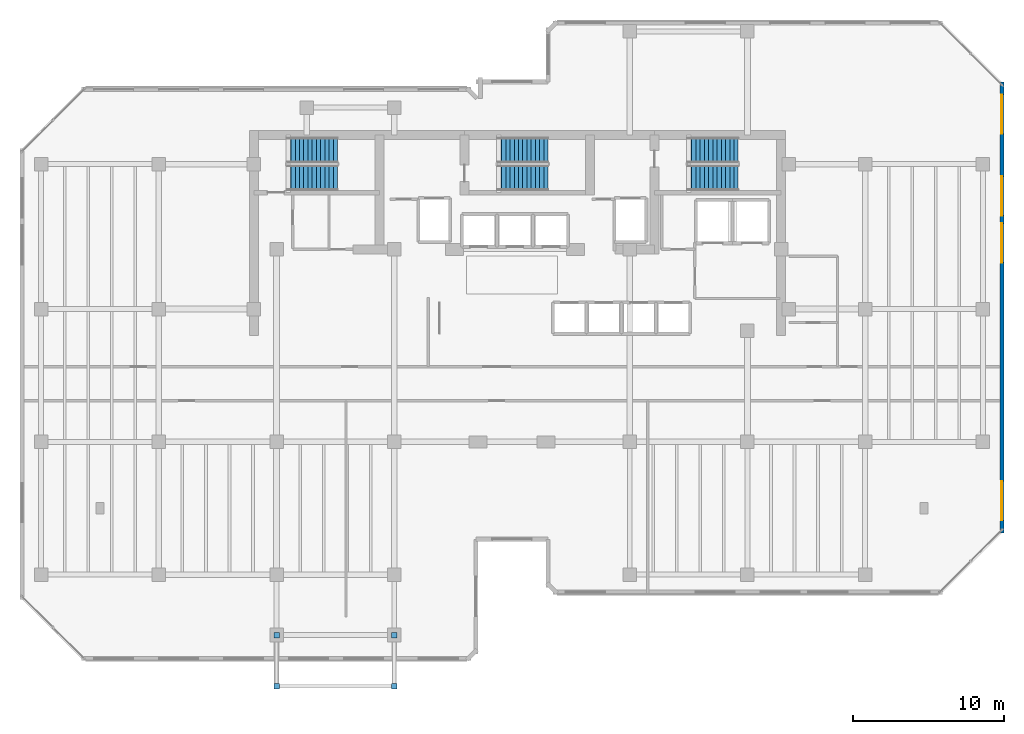
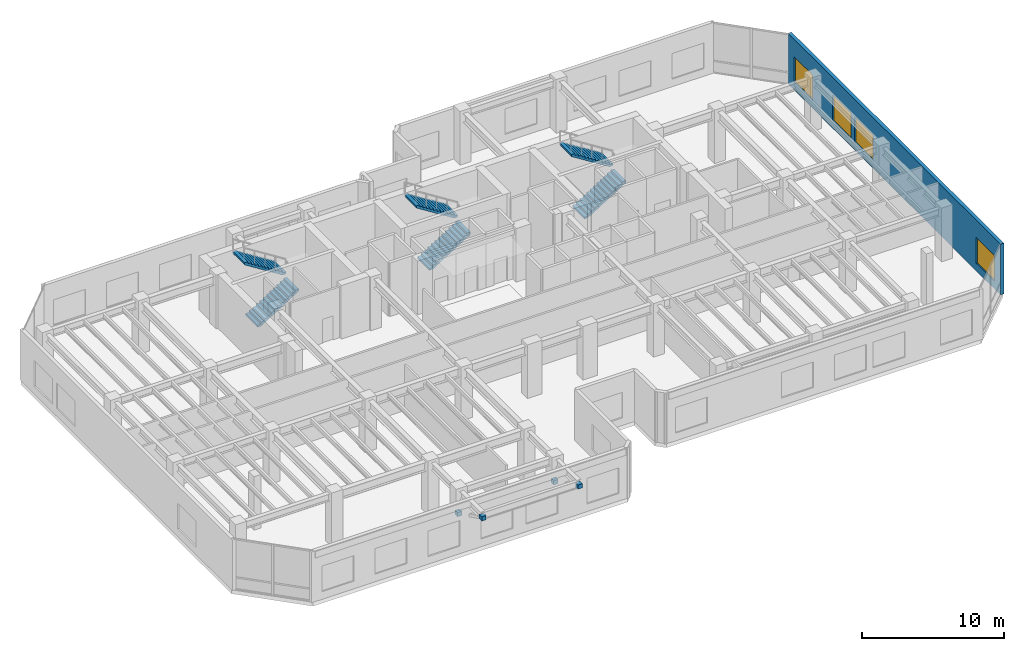
# One storey, part 17 of 20: 6 stair flights, 4 discrete accessories, 4 windows, 1 wall, 4 openings, 3 elements without a shape of their own.
"""IFC4 building model written with IfcOpenShell, lengths in metres."""

from ifc_helpers import new_model, si_unit, direction, frame, frame_2d, origin, origin_2d, place, context, subcontext, project, spatial, polyline, rectangle, outline, extrude, material, layer, layer_set, type_object, element, fill, aggregate, save


model = new_model("IFC4")

# Units and contexts
model_context = context("Model", 3, precision=1e-05, world=origin(), true_north=direction((0.0, 1.0)))
body_context = subcontext(model_context, "Body", "Model", "MODEL_VIEW")
ifc_project = project(units=[si_unit("LENGTHUNIT", "METRE"), si_unit("AREAUNIT", "SQUARE_METRE"), si_unit("VOLUMEUNIT", "CUBIC_METRE"), si_unit("PLANEANGLEUNIT", "RADIAN"), si_unit("MASSUNIT", "GRAM", prefix="KILO")], contexts=[model_context])

# Site, building, storey
site_placement = place(None, origin())
site = spatial("IfcSite", under=ifc_project, at=site_placement, CompositionType="ELEMENT")
building_placement = place(site_placement, origin())
building = spatial("IfcBuilding", under=site, at=building_placement, Name="Kestravale Grand Hotel", CompositionType="ELEMENT")
storey_placement = place(building_placement, frame((0.0, 0.0, 231.89990234375)))
storey = spatial("IfcBuildingStorey", under=building, at=storey_placement, Name="L58", CompositionType="ELEMENT", Elevation=231.89990234375)

# Wall, openings, windows
ifc_material_1 = material(Name="Precast concrete f'c 45 MPa", Category="concrete")
ifc_layer = layer(ifc_material_1, 0.280029296875)
ifc_layer_set = layer_set([ifc_layer], Name="EW-PREC-280")
wall_type = type_object("IfcWallType", Name="EW-PREC-280", PredefinedType="SOLIDWALL", material=ifc_layer_set)
wall_placement = place(storey_placement, frame((71.4599609375, 13.9599609375, 0.0), z_axis=(0.0, 0.0, 1.0), x_axis=(0.0, 1.0, 0.0)))
wall = element("IfcWall", 1, at=wall_placement, inside=storey, type_object=wall_type, Name="L58 fluted precast facade wall 9", PredefinedType="SOLIDWALL", context=body_context, shape_type="SweptSolid", body=[
    extrude(rectangle(XDim=29.880126953125, YDim=0.280029296875, at=frame_2d((14.93994140625, 0.0))), origin(), (0.0, 0.0, 1.0), 4.35009765625),
])
opening_1_placement = place(wall_placement, frame((0.834228515625, 0.0, 0.64990234375)))
opening_1 = element("IfcOpeningElement", 2, at=opening_1_placement, cuts=wall, Name="Opening W-SKY-2600", PredefinedType="OPENING", context=body_context, shape_type="SweptSolid", body=[
    extrude(rectangle(XDim=2.60009765625, YDim=2.199951171875, at=frame_2d((1.300048828125, 1.10009765625))), frame((0.0, 0.14990234375, 0.0), z_axis=(0.0, -1.0, 0.0), x_axis=(1.0, 0.0, 0.0)), (0.0, 0.0, 1.0), 0.300048828125),
])
opening_2_placement = place(wall_placement, frame((17.90869140625, 0.0, 0.64990234375)))
opening_2 = element("IfcOpeningElement", 3, at=opening_2_placement, cuts=wall, Name="Opening W-SKY-2600", PredefinedType="OPENING", context=body_context, shape_type="SweptSolid", body=[
    extrude(rectangle(XDim=2.60009765625, YDim=2.199951171875, at=frame_2d((1.300048828125, 1.10009765625))), frame((0.0, 0.14990234375, 0.0), z_axis=(0.0, -1.0, 0.0), x_axis=(1.0, 0.0, 0.0)), (0.0, 0.0, 1.0), 0.300048828125),
])
opening_3_placement = place(wall_placement, frame((21.027099609375, 0.0, 0.64990234375)))
opening_3 = element("IfcOpeningElement", 4, at=opening_3_placement, cuts=wall, Name="Opening W-SKY-2600", PredefinedType="OPENING", context=body_context, shape_type="SweptSolid", body=[
    extrude(rectangle(XDim=2.60009765625, YDim=2.199951171875, at=frame_2d((1.300048828125, 1.10009765625))), frame((0.0, 0.14990234375, 0.0), z_axis=(0.0, -1.0, 0.0), x_axis=(1.0, 0.0, 0.0)), (0.0, 0.0, 1.0), 0.300048828125),
])
opening_4_placement = place(wall_placement, frame((26.44580078125, 0.0, 0.64990234375)))
opening_4 = element("IfcOpeningElement", 5, at=opening_4_placement, cuts=wall, Name="Opening W-SKY-2600", PredefinedType="OPENING", context=body_context, shape_type="SweptSolid", body=[
    extrude(rectangle(XDim=2.60009765625, YDim=2.199951171875, at=frame_2d((1.300048828125, 1.10009765625))), frame((0.0, 0.14990234375, 0.0), z_axis=(0.0, -1.0, 0.0), x_axis=(1.0, 0.0, 0.0)), (0.0, 0.0, 1.0), 0.300048828125),
])
ifc_material_2 = material(Name="Insulated low-E double glazing in aluminium frame", Category="aluminium")
window_type = type_object("IfcWindowType", Name="W-SKY-2600", PartitioningType="TRIPLE_PANEL_VERTICAL", PredefinedType="WINDOW", material=ifc_material_2)
window_1_placement = place(opening_1_placement, origin())
window_1 = element("IfcWindow", 6, at=window_1_placement, inside=storey, type_object=window_type, Name="L58 exterior window 9.1", OverallHeight=2.199951171875, OverallWidth=2.60009765625, PartitioningType="SINGLE_PANEL", PredefinedType="WINDOW", context=body_context, shape_type="SweptSolid", body=[
    extrude(rectangle(XDim=2.60009765625, YDim=2.199951171875, at=frame_2d((1.300048828125, 1.10009765625))), frame((0.0, 0.030029296875, 0.0), z_axis=(0.0, -1.0, 0.0), x_axis=(1.0, 0.0, 0.0)), (0.0, 0.0, 1.0), 0.06005859375),
])
fill(opening_1, window_1)
window_2_placement = place(opening_2_placement, origin())
window_2 = element("IfcWindow", 7, at=window_2_placement, inside=storey, type_object=window_type, Name="L58 exterior window 9.2", OverallHeight=2.199951171875, OverallWidth=2.60009765625, PartitioningType="SINGLE_PANEL", PredefinedType="WINDOW", context=body_context, shape_type="SweptSolid", body=[
    extrude(rectangle(XDim=2.60009765625, YDim=2.199951171875, at=frame_2d((1.300048828125, 1.10009765625))), frame((0.0, 0.030029296875, 0.0), z_axis=(0.0, -1.0, 0.0), x_axis=(1.0, 0.0, 0.0)), (0.0, 0.0, 1.0), 0.06005859375),
])
fill(opening_2, window_2)
window_3_placement = place(opening_3_placement, origin())
window_3 = element("IfcWindow", 8, at=window_3_placement, inside=storey, type_object=window_type, Name="L58 exterior window 9.3", OverallHeight=2.199951171875, OverallWidth=2.60009765625, PartitioningType="SINGLE_PANEL", PredefinedType="WINDOW", context=body_context, shape_type="SweptSolid", body=[
    extrude(rectangle(XDim=2.60009765625, YDim=2.199951171875, at=frame_2d((1.300048828125, 1.10009765625))), frame((0.0, 0.030029296875, 0.0), z_axis=(0.0, -1.0, 0.0), x_axis=(1.0, 0.0, 0.0)), (0.0, 0.0, 1.0), 0.06005859375),
])
fill(opening_3, window_3)
window_4_placement = place(opening_4_placement, origin())
window_4 = element("IfcWindow", 9, at=window_4_placement, inside=storey, type_object=window_type, Name="L58 exterior window 9.4", OverallHeight=2.199951171875, OverallWidth=2.60009765625, PartitioningType="SINGLE_PANEL", PredefinedType="WINDOW", context=body_context, shape_type="SweptSolid", body=[
    extrude(rectangle(XDim=2.60009765625, YDim=2.199951171875, at=frame_2d((1.300048828125, 1.10009765625))), frame((0.0, 0.030029296875, 0.0), z_axis=(0.0, -1.0, 0.0), x_axis=(1.0, 0.0, 0.0)), (0.0, 0.0, 1.0), 0.06005859375),
])
fill(opening_4, window_4)

# Stair, stair flights
ifc_material_3 = material(Name="Concrete f'c 45 MPa", Category="concrete")
stair_type = type_object("IfcStairType", Name="ST-CORE-460", PredefinedType="HALF_TURN_STAIR", material=ifc_material_3)
stair_1_placement = place(storey_placement, origin())
stair_1 = element("IfcStair", 10, at=stair_1_placement, inside=storey, type_object=stair_type, Name="L58 ST-1", PredefinedType="HALF_TURN_STAIR")
ifc_material_4 = material(Name="Concrete f'c 45 MPa", Category="concrete")
stair_flight_type = type_object("IfcStairFlightType", Name="STF-CORE-460", PredefinedType="STRAIGHT", material=ifc_material_4)
stair_flight_1_placement = place(storey_placement, frame((24.080078125, 37.489990234375, 0.0), z_axis=(0.0, 0.0, 1.0), x_axis=(1.0, 0.0, 0.0)))
stair_flight_1 = element("IfcStairFlight", 11, at=stair_flight_1_placement, type_object=stair_flight_type, Name="ST-1 flight 1", NumberOfRisers=13, NumberOfTreads=12, PredefinedType="STRAIGHT", RiserHeight=0.176923077, TreadLength=0.28, context=body_context, shape_type="SweptSolid", body=[
    extrude(outline(polyline([(0.0, 0.0), (0.0, 0.177001953125), (0.280029296875, 0.177001953125), (0.280029296875, 0.353759765625), (0.56005859375, 0.353759765625), (0.56005859375, 0.53076171875), (0.840087890625, 0.53076171875), (0.840087890625, 0.707763671875), (1.1201171875, 0.707763671875), (1.1201171875, 0.884521484375), (1.39990234375, 0.884521484375), (1.39990234375, 1.0615234375), (1.679931640625, 1.0615234375), (1.679931640625, 1.238525390625), (1.9599609375, 1.238525390625), (1.9599609375, 1.415283203125), (2.239990234375, 1.415283203125), (2.239990234375, 1.59228515625), (2.52001953125, 1.59228515625), (2.52001953125, 1.769287109375), (2.800048828125, 1.769287109375), (2.800048828125, 1.946044921875), (3.080078125, 1.946044921875), (3.080078125, 2.123046875), (3.360107421875, 2.123046875), (3.360107421875, 2.300048828125), (3.360107421875, 1.94580078125), (0.280517578125, 0.0), (0.0, 0.0)])), frame((0.0, 0.83984375, 0.0), z_axis=(0.0, -1.0, 0.0), x_axis=(1.0, 0.0, 0.0)), (0.0, 0.0, 1.0), 1.679931640625),
])
stair_flight_2_placement = place(storey_placement, frame((27.43994140625, 39.320068359375, 2.300048828125), z_axis=(0.0, 0.0, 1.0), x_axis=(-1.0, 0.0, 0.0)))
stair_flight_2 = element("IfcStairFlight", 12, at=stair_flight_2_placement, type_object=stair_flight_type, Name="ST-1 flight 2", NumberOfRisers=13, NumberOfTreads=12, PredefinedType="STRAIGHT", RiserHeight=0.176923077, TreadLength=0.28, context=body_context, shape_type="SweptSolid", body=[
    extrude(outline(polyline([(0.0, 0.0), (0.0, 0.177001953125), (0.280029296875, 0.177001953125), (0.280029296875, 0.353759765625), (0.56005859375, 0.353759765625), (0.56005859375, 0.53076171875), (0.840087890625, 0.53076171875), (0.840087890625, 0.707763671875), (1.1201171875, 0.707763671875), (1.1201171875, 0.884521484375), (1.39990234375, 0.884521484375), (1.39990234375, 1.0615234375), (1.679931640625, 1.0615234375), (1.679931640625, 1.238525390625), (1.9599609375, 1.238525390625), (1.9599609375, 1.415283203125), (2.239990234375, 1.415283203125), (2.239990234375, 1.59228515625), (2.52001953125, 1.59228515625), (2.52001953125, 1.769287109375), (2.800048828125, 1.769287109375), (2.800048828125, 1.946044921875), (3.080078125, 1.946044921875), (3.080078125, 2.123046875), (3.360107421875, 2.123046875), (3.360107421875, 2.300048828125), (3.360107421875, 1.94580078125), (0.280517578125, 0.0), (0.0, 0.0)])), frame((0.0, 0.83984375, 0.0), z_axis=(0.0, -1.0, 0.0), x_axis=(1.0, 0.0, 0.0)), (0.0, 0.0, 1.0), 1.679931640625),
])
aggregate(stair_1, [stair_flight_1, stair_flight_2])

stair_2_placement = place(storey_placement, origin())
stair_2 = element("IfcStair", 13, at=stair_2_placement, inside=storey, type_object=stair_type, Name="L58 ST-2", PredefinedType="HALF_TURN_STAIR")
stair_flight_3_placement = place(storey_placement, frame((38.030029296875, 37.489990234375, 0.0), z_axis=(0.0, 0.0, 1.0), x_axis=(1.0, 0.0, 0.0)))
stair_flight_3 = element("IfcStairFlight", 14, at=stair_flight_3_placement, type_object=stair_flight_type, Name="ST-2 flight 1", NumberOfRisers=13, NumberOfTreads=12, PredefinedType="STRAIGHT", RiserHeight=0.176923077, TreadLength=0.28, context=body_context, shape_type="SweptSolid", body=[
    extrude(outline(polyline([(0.0, 0.0), (0.0, 0.177001953125), (0.280029296875, 0.177001953125), (0.280029296875, 0.353759765625), (0.56005859375, 0.353759765625), (0.56005859375, 0.53076171875), (0.840087890625, 0.53076171875), (0.840087890625, 0.707763671875), (1.1201171875, 0.707763671875), (1.1201171875, 0.884521484375), (1.39990234375, 0.884521484375), (1.39990234375, 1.0615234375), (1.679931640625, 1.0615234375), (1.679931640625, 1.238525390625), (1.9599609375, 1.238525390625), (1.9599609375, 1.415283203125), (2.239990234375, 1.415283203125), (2.239990234375, 1.59228515625), (2.52001953125, 1.59228515625), (2.52001953125, 1.769287109375), (2.800048828125, 1.769287109375), (2.800048828125, 1.946044921875), (3.080078125, 1.946044921875), (3.080078125, 2.123046875), (3.360107421875, 2.123046875), (3.360107421875, 2.300048828125), (3.360107421875, 1.94580078125), (0.280517578125, 0.0), (0.0, 0.0)])), frame((0.0, 0.83984375, 0.0), z_axis=(0.0, -1.0, 0.0), x_axis=(1.0, 0.0, 0.0)), (0.0, 0.0, 1.0), 1.679931640625),
])
stair_flight_4_placement = place(storey_placement, frame((41.389892578125, 39.320068359375, 2.300048828125), z_axis=(0.0, 0.0, 1.0), x_axis=(-1.0, 0.0, 0.0)))
stair_flight_4 = element("IfcStairFlight", 15, at=stair_flight_4_placement, type_object=stair_flight_type, Name="ST-2 flight 2", NumberOfRisers=13, NumberOfTreads=12, PredefinedType="STRAIGHT", RiserHeight=0.176923077, TreadLength=0.28, context=body_context, shape_type="SweptSolid", body=[
    extrude(outline(polyline([(0.0, 0.0), (0.0, 0.177001953125), (0.280029296875, 0.177001953125), (0.280029296875, 0.353759765625), (0.56005859375, 0.353759765625), (0.56005859375, 0.53076171875), (0.840087890625, 0.53076171875), (0.840087890625, 0.707763671875), (1.1201171875, 0.707763671875), (1.1201171875, 0.884521484375), (1.39990234375, 0.884521484375), (1.39990234375, 1.0615234375), (1.679931640625, 1.0615234375), (1.679931640625, 1.238525390625), (1.9599609375, 1.238525390625), (1.9599609375, 1.415283203125), (2.239990234375, 1.415283203125), (2.239990234375, 1.59228515625), (2.52001953125, 1.59228515625), (2.52001953125, 1.769287109375), (2.800048828125, 1.769287109375), (2.800048828125, 1.946044921875), (3.080078125, 1.946044921875), (3.080078125, 2.123046875), (3.360107421875, 2.123046875), (3.360107421875, 2.300048828125), (3.360107421875, 1.94580078125), (0.280517578125, 0.0), (0.0, 0.0)])), frame((0.0, 0.83984375, 0.0), z_axis=(0.0, -1.0, 0.0), x_axis=(1.0, 0.0, 0.0)), (0.0, 0.0, 1.0), 1.679931640625),
])
aggregate(stair_2, [stair_flight_3, stair_flight_4])

stair_3_placement = place(storey_placement, origin())
stair_3 = element("IfcStair", 16, at=stair_3_placement, inside=storey, type_object=stair_type, Name="L58 ST-3", PredefinedType="HALF_TURN_STAIR")
stair_flight_5_placement = place(storey_placement, frame((50.6298828125, 37.489990234375, 0.0), z_axis=(0.0, 0.0, 1.0), x_axis=(1.0, 0.0, 0.0)))
stair_flight_5 = element("IfcStairFlight", 17, at=stair_flight_5_placement, type_object=stair_flight_type, Name="ST-3 flight 1", NumberOfRisers=13, NumberOfTreads=12, PredefinedType="STRAIGHT", RiserHeight=0.176923077, TreadLength=0.28, context=body_context, shape_type="SweptSolid", body=[
    extrude(outline(polyline([(0.0, 0.0), (0.0, 0.177001953125), (0.280029296875, 0.177001953125), (0.280029296875, 0.353759765625), (0.56005859375, 0.353759765625), (0.56005859375, 0.53076171875), (0.840087890625, 0.53076171875), (0.840087890625, 0.707763671875), (1.1201171875, 0.707763671875), (1.1201171875, 0.884521484375), (1.39990234375, 0.884521484375), (1.39990234375, 1.0615234375), (1.679931640625, 1.0615234375), (1.679931640625, 1.238525390625), (1.9599609375, 1.238525390625), (1.9599609375, 1.415283203125), (2.239990234375, 1.415283203125), (2.239990234375, 1.59228515625), (2.52001953125, 1.59228515625), (2.52001953125, 1.769287109375), (2.800048828125, 1.769287109375), (2.800048828125, 1.946044921875), (3.080078125, 1.946044921875), (3.080078125, 2.123046875), (3.360107421875, 2.123046875), (3.360107421875, 2.300048828125), (3.360107421875, 1.94580078125), (0.280517578125, 0.0), (0.0, 0.0)])), frame((0.0, 0.83984375, 0.0), z_axis=(0.0, -1.0, 0.0), x_axis=(1.0, 0.0, 0.0)), (0.0, 0.0, 1.0), 1.679931640625),
])
stair_flight_6_placement = place(storey_placement, frame((53.989990234375, 39.320068359375, 2.300048828125), z_axis=(0.0, 0.0, 1.0), x_axis=(-1.0, 0.0, 0.0)))
stair_flight_6 = element("IfcStairFlight", 18, at=stair_flight_6_placement, type_object=stair_flight_type, Name="ST-3 flight 2", NumberOfRisers=13, NumberOfTreads=12, PredefinedType="STRAIGHT", RiserHeight=0.176923077, TreadLength=0.28, context=body_context, shape_type="SweptSolid", body=[
    extrude(outline(polyline([(0.0, 0.0), (0.0, 0.177001953125), (0.280029296875, 0.177001953125), (0.280029296875, 0.353759765625), (0.56005859375, 0.353759765625), (0.56005859375, 0.53076171875), (0.840087890625, 0.53076171875), (0.840087890625, 0.707763671875), (1.1201171875, 0.707763671875), (1.1201171875, 0.884521484375), (1.39990234375, 0.884521484375), (1.39990234375, 1.0615234375), (1.679931640625, 1.0615234375), (1.679931640625, 1.238525390625), (1.9599609375, 1.238525390625), (1.9599609375, 1.415283203125), (2.239990234375, 1.415283203125), (2.239990234375, 1.59228515625), (2.52001953125, 1.59228515625), (2.52001953125, 1.769287109375), (2.800048828125, 1.769287109375), (2.800048828125, 1.946044921875), (3.080078125, 1.946044921875), (3.080078125, 2.123046875), (3.360107421875, 2.123046875), (3.360107421875, 2.300048828125), (3.360107421875, 1.94580078125), (0.280517578125, 0.0), (0.0, 0.0)])), frame((0.0, 0.83984375, 0.0), z_axis=(0.0, -1.0, 0.0), x_axis=(1.0, 0.0, 0.0)), (0.0, 0.0, 1.0), 1.679931640625),
])
aggregate(stair_3, [stair_flight_5, stair_flight_6])

# Discrete accessories
ifc_material_5 = material(Name="Steel ASTM A572 Grade 50 hot-dip galvanised bracket", Category="steel")
discrete_accessory_type = type_object("IfcDiscreteAccessoryType", Name="ACC-BRK-STL", PredefinedType="BRACKET", material=ifc_material_5)
for number, where, z_axis, x_axis, name in (
    (19, (23.39990234375, 7.199951171875, 1.994140625), (0.0, 0.0, 1.0), (1.0, 0.0, 0.0), "L59 terrace strut column bracket 1"),
    (20, (23.39990234375, 3.800048828125, 3.69384765625), (0.0, 0.0, 1.0), (1.0, 0.0, 0.0), "L59 terrace strut beam bracket 1"),
    (21, (31.199951171875, 7.199951171875, 1.994140625), (0.0, 0.0, 1.0), (1.0, 0.0, 0.0), "L59 terrace strut column bracket 2"),
    (22, (31.199951171875, 3.800048828125, 3.69384765625), (0.0, 0.0, 1.0), (1.0, 0.0, 0.0), "L59 terrace strut beam bracket 2"),
):
    element("IfcDiscreteAccessory", number, at=place(storey_placement, frame(where, z_axis=z_axis, x_axis=x_axis)), inside=storey, type_object=discrete_accessory_type, Name=name, PredefinedType="BRACKET", context=body_context, shape_type="SweptSolid", body=[
        extrude(rectangle(XDim=0.360107421875, YDim=0.360107421875, at=origin_2d()), origin(), (0.0, 0.0, 1.0), 0.360107421875),
    ])

save(model, "model.ifc")
